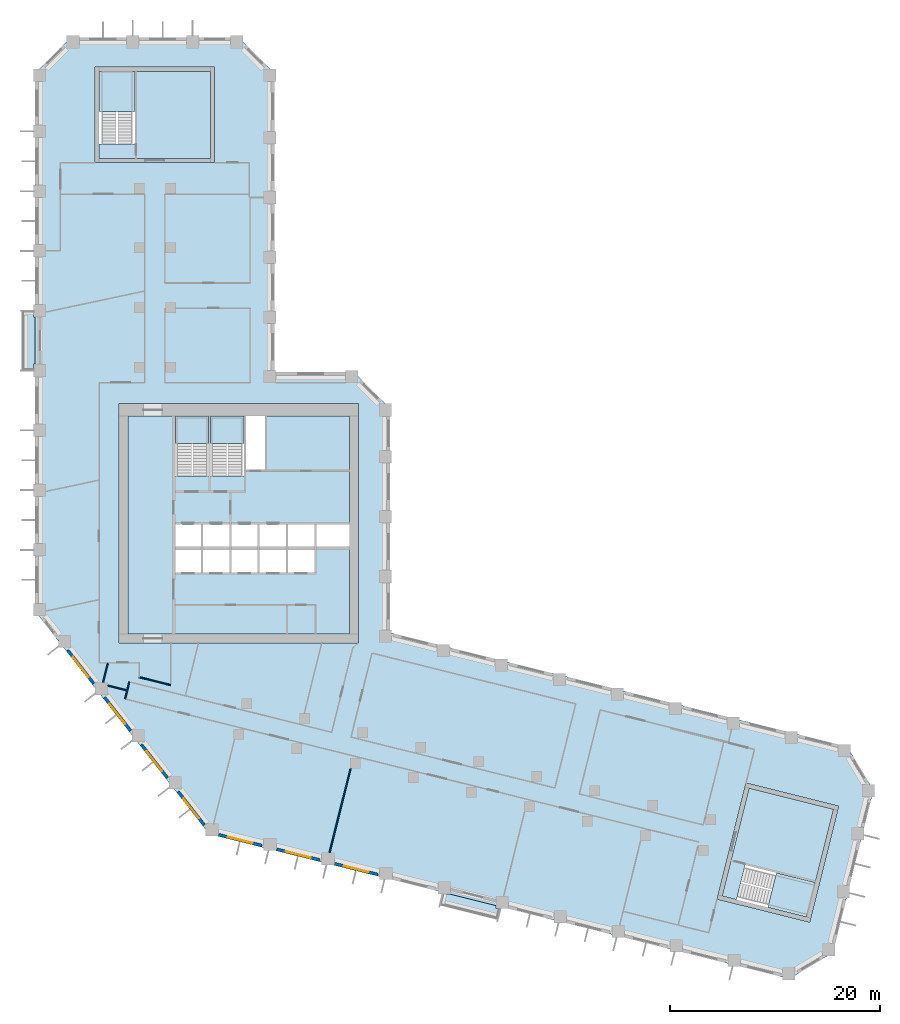
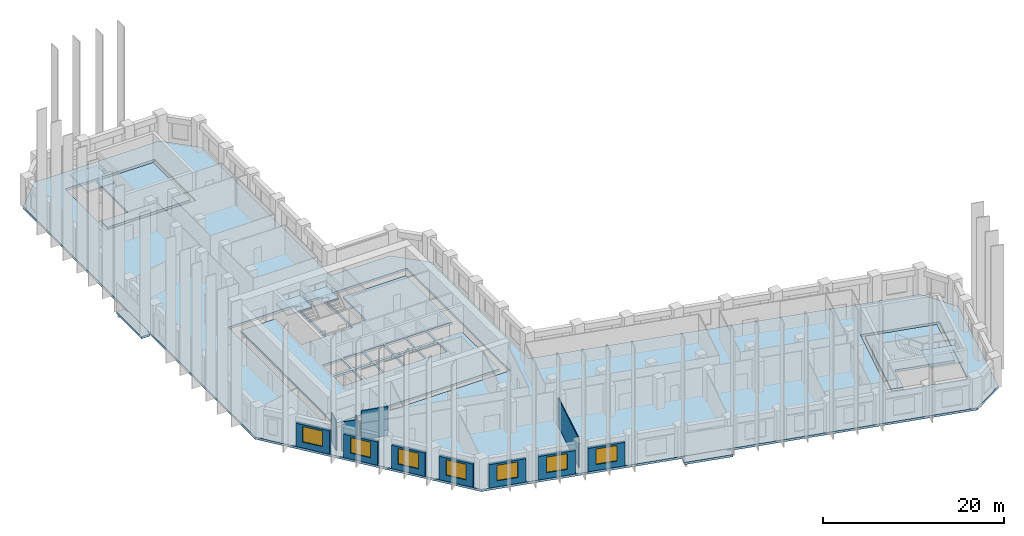
# One storey, part 2 of 10: 12 walls, 10 slabs, 7 windows, 7 openings, 4 elements without a shape of their own.
"""IFC4 building model written with IfcOpenShell, lengths in metres."""

from ifc_helpers import new_model, si_unit, direction, frame, frame_2d, origin, place, context, subcontext, project, spatial, polyline, rectangle, outline, extrude, material, layer, layer_set, type_object, element, fill, aggregate, save


model = new_model("IFC4")

# Units and contexts
model_context = context("Model", 3, precision=1e-05, world=origin(), true_north=direction((0.0, 1.0)))
body_context = subcontext(model_context, "Body", "Model", "MODEL_VIEW")
ifc_project = project(units=[si_unit("LENGTHUNIT", "METRE"), si_unit("AREAUNIT", "SQUARE_METRE"), si_unit("VOLUMEUNIT", "CUBIC_METRE"), si_unit("PLANEANGLEUNIT", "RADIAN"), si_unit("MASSUNIT", "GRAM", prefix="KILO")], contexts=[model_context])

# Site, building, storey
site_placement = place(None, origin())
site = spatial("IfcSite", under=ifc_project, at=site_placement, CompositionType="ELEMENT")
building_placement = place(site_placement, origin())
building = spatial("IfcBuilding", under=site, at=building_placement, Name="Meshkara Civic Tower", CompositionType="ELEMENT")
storey_placement = place(building_placement, frame((0.0, 0.0, 178.199951171875)))
storey = spatial("IfcBuildingStorey", under=building, at=storey_placement, Name="L40", CompositionType="ELEMENT", Elevation=178.199951171875)

# Slabs
ifc_material_1 = material(Name="Concrete C40", Category="concrete")
ifc_layer_1 = layer(ifc_material_1, 0.300048828125)
ifc_layer_set_1 = layer_set([ifc_layer_1], Name="BALCONY SLAB")
slab_type_1 = type_object("IfcSlabType", Name="BALCONY SLAB", PredefinedType="FLOOR", material=ifc_layer_set_1)
slab_1_placement = place(storey_placement, frame((0.0, 0.0, -0.300048828125)))
element("IfcSlab", 1, at=slab_1_placement, inside=storey, type_object=slab_type_1, Name="Balcony slab", PredefinedType="FLOOR", context=body_context, shape_type="SweptSolid", body=[
    extrude(outline(polyline([(-1.199951171875, 40.114990234375), (-1.199951171875, 45.695068359375), (-0.14990234375, 45.695068359375), (-0.14990234375, 45.155029296875), (0.0, 45.155029296875), (0.0, 40.655029296875), (-0.14990234375, 40.655029296875), (-0.14990234375, 40.114990234375), (-1.199951171875, 40.114990234375)])), origin(), (0.0, 0.0, 1.0), 0.300048828125),
])
slab_2_placement = place(storey_placement, frame((0.0, 0.0, -0.300048828125)))
element("IfcSlab", 2, at=slab_2_placement, inside=storey, type_object=slab_type_1, Name="Balcony slab", PredefinedType="FLOOR", context=body_context, shape_type="SweptSolid", body=[
    extrude(outline(polyline([(44.048095703125, -12.218994140625), (38.633056640625, -10.868896484375), (38.885986328125, -9.85302734375), (39.51904296875, -9.85302734375), (43.905029296875, -10.947021484375), (43.905029296875, -11.23193359375), (44.2939453125, -11.23193359375), (44.048095703125, -12.218994140625)])), origin(), (0.0, 0.0, 1.0), 0.300048828125),
])
ifc_material_2 = material(Name="Concrete C40/50", Category="concrete")
ifc_layer_2 = layer(ifc_material_2, 0.300048828125)
ifc_layer_set_2 = layer_set([ifc_layer_2], Name="Core floor slab 300 C40/50")
slab_type_2 = type_object("IfcSlabType", Name="Core floor slab 300 C40/50", PredefinedType="FLOOR", material=ifc_layer_set_2)
slab_3_placement = place(storey_placement, frame((0.0, 0.0, -0.300048828125)))
element("IfcSlab", 3, at=slab_3_placement, inside=storey, type_object=slab_type_2, Name="Core floor K", PredefinedType="FLOOR", context=body_context, shape_type="SweptSolid", body=[
    extrude(outline(polyline([(8.85009765625, 35.699951171875), (13.3701171875, 35.699951171875), (13.3701171875, 30.00146484375), (16.5, 30.00146484375), (16.5, 35.699951171875), (16.699951171875, 35.699951171875), (16.699951171875, 30.00146484375), (19.89990234375, 30.00146484375), (19.89990234375, 35.699951171875), (20.10009765625, 35.699951171875), (20.10009765625, 30.574951171875), (21.925048828125, 30.574951171875), (21.925048828125, 35.699951171875), (29.949951171875, 35.699951171875), (29.949951171875, 25.39990234375), (26.800048828125, 25.39990234375), (26.800048828125, 23.27001953125), (29.949951171875, 23.27001953125), (29.949951171875, 14.949951171875), (8.85009765625, 14.949951171875), (8.85009765625, 35.699951171875)]), holes=[polyline([(15.800048828125, 22.929931640625), (13.3701171875, 22.929931640625), (13.3701171875, 20.800048828125), (15.800048828125, 20.800048828125), (15.800048828125, 22.929931640625)]), polyline([(16.0, 22.929931640625), (16.0, 20.800048828125), (18.5, 20.800048828125), (18.5, 22.929931640625), (16.0, 22.929931640625)]), polyline([(18.699951171875, 22.929931640625), (18.699951171875, 20.800048828125), (21.199951171875, 20.800048828125), (21.199951171875, 22.929931640625), (18.699951171875, 22.929931640625)]), polyline([(15.800048828125, 23.27001953125), (15.800048828125, 25.39990234375), (13.3701171875, 25.39990234375), (13.3701171875, 23.27001953125), (15.800048828125, 23.27001953125)]), polyline([(16.0, 25.39990234375), (16.0, 23.27001953125), (18.5, 23.27001953125), (18.5, 25.39990234375), (16.0, 25.39990234375)]), polyline([(21.39990234375, 20.800048828125), (23.89990234375, 20.800048828125), (23.89990234375, 22.929931640625), (21.39990234375, 22.929931640625), (21.39990234375, 20.800048828125)]), polyline([(24.10009765625, 20.800048828125), (26.60009765625, 20.800048828125), (26.60009765625, 22.929931640625), (24.10009765625, 22.929931640625), (24.10009765625, 20.800048828125)]), polyline([(18.699951171875, 25.39990234375), (18.699951171875, 23.27001953125), (21.199951171875, 23.27001953125), (21.199951171875, 25.39990234375), (18.699951171875, 25.39990234375)]), polyline([(21.39990234375, 25.39990234375), (21.39990234375, 23.27001953125), (23.89990234375, 23.27001953125), (23.89990234375, 25.39990234375), (21.39990234375, 25.39990234375)]), polyline([(26.60009765625, 23.27001953125), (26.60009765625, 25.39990234375), (24.10009765625, 25.39990234375), (24.10009765625, 23.27001953125), (26.60009765625, 23.27001953125)])]), origin(), (0.0, 0.0, 1.0), 0.300048828125),
])
slab_4_placement = place(storey_placement, frame((0.0, 0.0, -0.300048828125)))
element("IfcSlab", 4, at=slab_4_placement, inside=storey, type_object=slab_type_2, Name="Core floor EA", PredefinedType="FLOOR", context=body_context, shape_type="SweptSolid", body=[
    extrude(outline(polyline([(16.699951171875, 60.27001953125), (16.699951171875, 68.570068359375), (9.5, 68.570068359375), (9.5, 61.67138671875), (6.10009765625, 61.67138671875), (6.10009765625, 60.27001953125), (16.699951171875, 60.27001953125)])), origin(), (0.0, 0.0, 1.0), 0.300048828125),
])
slab_5_placement = place(storey_placement, frame((0.0, 0.0, -0.300048828125)))
element("IfcSlab", 5, at=slab_5_placement, inside=storey, type_object=slab_type_2, Name="Core floor EB", PredefinedType="FLOOR", context=body_context, shape_type="SweptSolid", body=[
    extrude(outline(polyline([(68.050537109375, 0.244384765625), (76.10400390625, -1.763671875), (74.362060546875, -8.749755859375), (67.66845703125, -7.080810546875), (66.845947265625, -10.3798828125), (65.486083984375, -10.040771484375), (68.050537109375, 0.244384765625)])), origin(), (0.0, 0.0, 1.0), 0.300048828125),
])

# Stair, slab
ifc_material_3 = material(Name="Precast concrete C40/50", Category="concrete")
stair_type = type_object("IfcStairType", Name="Exit stair half-turn 24 risers precast", PredefinedType="HALF_TURN_STAIR", material=ifc_material_3)
stair_1_placement = place(storey_placement, origin())
stair_1 = element("IfcStair", 6, at=stair_1_placement, inside=storey, type_object=stair_type, Name="L40 exit stair 1", PredefinedType="HALF_TURN_STAIR")
ifc_material_4 = material(Name="Precast concrete C40/50", Category="concrete")
ifc_layer_3 = layer(ifc_material_4, 0.199951171875)
ifc_layer_set_3 = layer_set([ifc_layer_3], Name="Exit stair landing 200")
slab_type_3 = type_object("IfcSlabType", Name="Exit stair landing 200", PredefinedType="LANDING", material=ifc_layer_set_3)
slab_6_placement = place(storey_placement, frame((0.0, 0.0, 1.900146484375)))
slab_6 = element("IfcSlab", 7, at=slab_6_placement, type_object=slab_type_3, Name="ST1 landing 1", PredefinedType="LANDING", context=body_context, shape_type="SweptSolid", body=[
    extrude(outline(polyline([(16.5, 33.07861328125), (16.5, 35.699951171875), (13.3701171875, 35.699951171875), (13.3701171875, 33.07861328125), (16.5, 33.07861328125)])), origin(), (0.0, 0.0, 1.0), 0.199951171875),
])
aggregate(stair_1, [slab_6])

stair_2_placement = place(storey_placement, origin())
stair_2 = element("IfcStair", 8, at=stair_2_placement, inside=storey, type_object=stair_type, Name="L40 exit stair 2", PredefinedType="HALF_TURN_STAIR")
slab_7_placement = place(storey_placement, frame((0.0, 0.0, 1.900146484375)))
slab_7 = element("IfcSlab", 9, at=slab_7_placement, type_object=slab_type_3, Name="ST2 landing 1", PredefinedType="LANDING", context=body_context, shape_type="SweptSolid", body=[
    extrude(outline(polyline([(19.89990234375, 33.07861328125), (19.89990234375, 35.699951171875), (16.699951171875, 35.699951171875), (16.699951171875, 33.07861328125), (19.89990234375, 33.07861328125)])), origin(), (0.0, 0.0, 1.0), 0.199951171875),
])
aggregate(stair_2, [slab_7])

stair_3_placement = place(storey_placement, origin())
stair_3 = element("IfcStair", 10, at=stair_3_placement, inside=storey, type_object=stair_type, Name="L40 exit stair A from L35", PredefinedType="HALF_TURN_STAIR")
slab_8_placement = place(storey_placement, frame((0.0, 0.0, 1.900146484375)))
slab_8 = element("IfcSlab", 11, at=slab_8_placement, type_object=slab_type_3, Name="ESA3 landing 1", PredefinedType="LANDING", context=body_context, shape_type="SweptSolid", body=[
    extrude(outline(polyline([(9.5, 64.74853515625), (9.5, 68.570068359375), (6.10009765625, 68.570068359375), (6.10009765625, 64.74853515625), (9.5, 64.74853515625)])), origin(), (0.0, 0.0, 1.0), 0.199951171875),
])
aggregate(stair_3, [slab_8])

stair_4_placement = place(storey_placement, origin())
stair_4 = element("IfcStair", 12, at=stair_4_placement, inside=storey, type_object=stair_type, Name="L40 exit stair B from L35", PredefinedType="HALF_TURN_STAIR")
slab_9_placement = place(storey_placement, frame((0.0, 0.0, 1.900146484375)))
slab_9 = element("IfcSlab", 13, at=slab_9_placement, type_object=slab_type_3, Name="ESB3 landing 1", PredefinedType="LANDING", context=body_context, shape_type="SweptSolid", body=[
    extrude(outline(polyline([(69.831298828125, -11.124755859375), (73.5400390625, -12.049072265625), (74.3623046875, -8.7490234375), (70.653564453125, -7.82470703125), (69.831298828125, -11.124755859375)])), origin(), (0.0, 0.0, 1.0), 0.199951171875),
])
aggregate(stair_4, [slab_9])

# Slab
ifc_material_5 = material(Name="Concrete C50", Category="concrete")
ifc_layer_4 = layer(ifc_material_5, 0.300048828125)
ifc_layer_set_4 = layer_set([ifc_layer_4], Name="Post-tensioned flat slab 300 C50")
slab_type_4 = type_object("IfcSlabType", Name="Post-tensioned flat slab 300 C50", PredefinedType="FLOOR", material=ifc_layer_set_4)
slab_10_placement = place(storey_placement, frame((0.0, 0.0, -0.300048828125)))
element("IfcSlab", 14, at=slab_10_placement, inside=storey, type_object=slab_type_4, Name="Post-tensioned flat slab L40", PredefinedType="FLOOR", context=body_context, shape_type="SweptSolid", body=[
    extrude(outline(polyline([(76.044921875, -15.43505859375), (71.89892578125, -17.926025390625), (16.592041015625, -4.136962890625), (0.0, 17.10009765625), (0.0, 68.39990234375), (3.419921875, 71.820068359375), (19.3798828125, 71.820068359375), (22.800048828125, 68.39990234375), (22.800048828125, 39.89990234375), (30.3798828125, 39.89990234375), (33.800048828125, 36.47998046875), (33.800048828125, 15.071044921875), (77.4150390625, 4.196044921875), (79.906005859375, 0.051025390625), (76.044921875, -15.43505859375)]), holes=[polyline([(73.8310546875, -12.533935546875), (76.589111328125, -1.471923828125), (67.759033203125, 0.72900390625), (65.0009765625, -10.33203125), (73.8310546875, -12.533935546875)]), polyline([(8.0, 14.10009765625), (30.800048828125, 14.10009765625), (30.800048828125, 36.89990234375), (8.0, 36.89990234375), (8.0, 14.10009765625)]), polyline([(5.699951171875, 68.969970703125), (5.699951171875, 59.8701171875), (17.10009765625, 59.8701171875), (17.10009765625, 68.969970703125), (5.699951171875, 68.969970703125)])]), origin(), (0.0, 0.0, 1.0), 0.300048828125),
])

# Walls
ifc_material_6 = material(Name="Corridor wall 100")
ifc_layer_5 = layer(ifc_material_6, 0.10009765625)
ifc_layer_set_5 = layer_set([ifc_layer_5], Name="Corridor wall 100")
wall_type_1 = type_object("IfcWallType", Name="Corridor wall 100", PredefinedType="PARTITIONING", material=ifc_layer_set_5)
wall_1_placement = place(storey_placement, frame((8.972900390625, 10.382080078125, 0.0), z_axis=(0.0, 0.0, 1.0), x_axis=(-0.241650823739, -0.970363271866, 0.0)))
element("IfcWall", 15, at=wall_1_placement, inside=storey, type_object=wall_type_1, Name="L40-W008", PredefinedType="PARTITIONING", context=body_context, shape_type="SweptSolid", body=[
    extrude(rectangle(XDim=1.688232421875, YDim=0.10009765625, at=frame_2d((0.84423828125, 0.0))), origin(), (0.0, 0.0, 1.0), 3.900146484375),
])
wall_2_placement = place(storey_placement, frame((9.89990234375, 10.825927734375, 0.0), z_axis=(0.0, 0.0, 1.0), x_axis=(0.970290953223, -0.241941038466, 0.0)))
element("IfcWall", 16, at=wall_2_placement, inside=storey, type_object=wall_type_1, Name="L40-W009", PredefinedType="PARTITIONING", context=body_context, shape_type="SweptSolid", body=[
    extrude(rectangle(XDim=3.091796875, YDim=0.10009765625, at=frame_2d((1.5458984375, 0.0))), origin(), (0.0, 0.0, 1.0), 3.900146484375),
])

# Wall, opening, window
ifc_material_7 = material(Name="Insulated infill panel with bronze anodised aluminium cladding", Category="aluminium")
ifc_layer_6 = layer(ifc_material_7, 0.300048828125)
ifc_layer_set_6 = layer_set([ifc_layer_6], Name="EXTERNAL INFILL WALL 300")
wall_type_2 = type_object("IfcWallType", Name="EXTERNAL INFILL WALL 300", PredefinedType="SOLIDWALL", material=ifc_layer_set_6)
wall_3_placement = place(storey_placement, frame((3.095947265625, 13.381103515625, 0.0), z_axis=(0.0, 0.0, 1.0), x_axis=(0.615563820493, -0.78808704018, 0.0)))
wall_3 = element("IfcWall", 17, at=wall_3_placement, inside=storey, type_object=wall_type_2, Name="External wall", PredefinedType="SOLIDWALL", context=body_context, shape_type="SweptSolid", body=[
    extrude(rectangle(XDim=4.01611328125, YDim=0.300048828125, at=frame_2d((2.008056640625, 0.0))), origin(), (0.0, 0.0, 1.0), 3.150146484375),
])
opening_1_placement = place(wall_3_placement, frame((0.80810546875, 0.0, 0.800048828125)))
opening_1 = element("IfcOpeningElement", 18, at=opening_1_placement, cuts=wall_3, Name="Opening W7", PredefinedType="OPENING", context=body_context, shape_type="SweptSolid", body=[
    extrude(rectangle(XDim=2.39990234375, YDim=2.10009765625, at=frame_2d((1.199951171875, 1.050048828125))), frame((0.0, 0.159912109375, 0.0), z_axis=(0.0, -1.0, 0.0), x_axis=(1.0, 0.0, 0.0)), (0.0, 0.0, 1.0), 0.320068359375),
])
ifc_material_8 = material(Name="Tinted double glazing", Category="glass")
window_type = type_object("IfcWindowType", Name="WINDOW 2400x2100", PartitioningType="DOUBLE_PANEL_VERTICAL", PredefinedType="WINDOW", material=ifc_material_8)
window_1_placement = place(opening_1_placement, origin())
window_1 = element("IfcWindow", 19, at=window_1_placement, inside=storey, type_object=window_type, Name="Window", OverallHeight=2.10009765625, OverallWidth=2.39990234375, PartitioningType="DOUBLE_PANEL_VERTICAL", PredefinedType="WINDOW", context=body_context, shape_type="SweptSolid", body=[
    extrude(rectangle(XDim=2.39990234375, YDim=2.10009765625, at=frame_2d((1.199951171875, 1.050048828125))), frame((0.0, 0.030029296875, 0.0), z_axis=(0.0, -1.0, 0.0), x_axis=(1.0, 0.0, 0.0)), (0.0, 0.0, 1.0), 0.06005859375),
])
fill(opening_1, window_1)

wall_4_placement = place(storey_placement, frame((6.60498046875, 8.888916015625, 0.0), z_axis=(0.0, 0.0, 1.0), x_axis=(0.615706559089, -0.787975528233, 0.0)))
wall_4 = element("IfcWall", 20, at=wall_4_placement, inside=storey, type_object=wall_type_2, Name="External wall", PredefinedType="SOLIDWALL", context=body_context, shape_type="SweptSolid", body=[
    extrude(rectangle(XDim=4.016357421875, YDim=0.300048828125, at=frame_2d((2.00830078125, 0.0))), origin(), (0.0, 0.0, 1.0), 3.150146484375),
])
opening_2_placement = place(wall_4_placement, frame((0.80810546875, 0.0, 0.800048828125)))
opening_2 = element("IfcOpeningElement", 21, at=opening_2_placement, cuts=wall_4, Name="Opening W7", PredefinedType="OPENING", context=body_context, shape_type="SweptSolid", body=[
    extrude(rectangle(XDim=2.39990234375, YDim=2.10009765625, at=frame_2d((1.199951171875, 1.050048828125))), frame((0.0, 0.159912109375, 0.0), z_axis=(0.0, -1.0, 0.0), x_axis=(1.0, 0.0, 0.0)), (0.0, 0.0, 1.0), 0.320068359375),
])
window_2_placement = place(opening_2_placement, origin())
window_2 = element("IfcWindow", 22, at=window_2_placement, inside=storey, type_object=window_type, Name="Window", OverallHeight=2.10009765625, OverallWidth=2.39990234375, PartitioningType="DOUBLE_PANEL_VERTICAL", PredefinedType="WINDOW", context=body_context, shape_type="SweptSolid", body=[
    extrude(rectangle(XDim=2.39990234375, YDim=2.10009765625, at=frame_2d((1.199951171875, 1.050048828125))), frame((0.0, 0.030029296875, 0.0), z_axis=(0.0, -1.0, 0.0), x_axis=(1.0, 0.0, 0.0)), (0.0, 0.0, 1.0), 0.06005859375),
])
fill(opening_2, window_2)

wall_5_placement = place(storey_placement, frame((10.114990234375, 4.39697265625, 0.0), z_axis=(0.0, 0.0, 1.0), x_axis=(0.615644041972, -0.788024373725, 0.0)))
wall_5 = element("IfcWall", 23, at=wall_5_placement, inside=storey, type_object=wall_type_2, Name="External wall", PredefinedType="SOLIDWALL", context=body_context, shape_type="SweptSolid", body=[
    extrude(rectangle(XDim=4.01513671875, YDim=0.300048828125, at=frame_2d((2.007568359375, 0.0))), origin(), (0.0, 0.0, 1.0), 3.150146484375),
])
opening_3_placement = place(wall_5_placement, frame((0.806884765625, 0.0, 0.800048828125)))
opening_3 = element("IfcOpeningElement", 24, at=opening_3_placement, cuts=wall_5, Name="Opening W7", PredefinedType="OPENING", context=body_context, shape_type="SweptSolid", body=[
    extrude(rectangle(XDim=2.39990234375, YDim=2.10009765625, at=frame_2d((1.199951171875, 1.050048828125))), frame((0.0, 0.159912109375, 0.0), z_axis=(0.0, -1.0, 0.0), x_axis=(1.0, 0.0, 0.0)), (0.0, 0.0, 1.0), 0.320068359375),
])
window_3_placement = place(opening_3_placement, origin())
window_3 = element("IfcWindow", 25, at=window_3_placement, inside=storey, type_object=window_type, Name="Window", OverallHeight=2.10009765625, OverallWidth=2.39990234375, PartitioningType="DOUBLE_PANEL_VERTICAL", PredefinedType="WINDOW", context=body_context, shape_type="SweptSolid", body=[
    extrude(rectangle(XDim=2.39990234375, YDim=2.10009765625, at=frame_2d((1.199951171875, 1.050048828125))), frame((0.0, 0.030029296875, 0.0), z_axis=(0.0, -1.0, 0.0), x_axis=(1.0, 0.0, 0.0)), (0.0, 0.0, 1.0), 0.06005859375),
])
fill(opening_3, window_3)

wall_6_placement = place(storey_placement, frame((13.6240234375, -0.093994140625, 0.0), z_axis=(0.0, 0.0, 1.0), x_axis=(0.615526062586, -0.7881165309, 0.0)))
wall_6 = element("IfcWall", 26, at=wall_6_placement, inside=storey, type_object=wall_type_2, Name="External wall", PredefinedType="SOLIDWALL", context=body_context, shape_type="SweptSolid", body=[
    extrude(rectangle(XDim=4.015869140625, YDim=0.300048828125, at=frame_2d((2.0078125, 0.0))), origin(), (0.0, 0.0, 1.0), 3.150146484375),
])
opening_4_placement = place(wall_6_placement, frame((0.80810546875, 0.0, 0.800048828125)))
opening_4 = element("IfcOpeningElement", 27, at=opening_4_placement, cuts=wall_6, Name="Opening W7", PredefinedType="OPENING", context=body_context, shape_type="SweptSolid", body=[
    extrude(rectangle(XDim=2.39990234375, YDim=2.10009765625, at=frame_2d((1.199951171875, 1.050048828125))), frame((0.0, 0.159912109375, 0.0), z_axis=(0.0, -1.0, 0.0), x_axis=(1.0, 0.0, 0.0)), (0.0, 0.0, 1.0), 0.320068359375),
])
window_4_placement = place(opening_4_placement, origin())
window_4 = element("IfcWindow", 28, at=window_4_placement, inside=storey, type_object=window_type, Name="Window", OverallHeight=2.10009765625, OverallWidth=2.39990234375, PartitioningType="DOUBLE_PANEL_VERTICAL", PredefinedType="WINDOW", context=body_context, shape_type="SweptSolid", body=[
    extrude(rectangle(XDim=2.39990234375, YDim=2.10009765625, at=frame_2d((1.199951171875, 1.050048828125))), frame((0.0, 0.030029296875, 0.0), z_axis=(0.0, -1.0, 0.0), x_axis=(1.0, 0.0, 0.0)), (0.0, 0.0, 1.0), 0.06005859375),
])
fill(opening_4, window_4)

wall_7_placement = place(storey_placement, frame((17.48388671875, -4.205078125, 0.0), z_axis=(0.0, 0.0, 1.0), x_axis=(0.970318118028, -0.241832069473, 0.0)))
wall_7 = element("IfcWall", 29, at=wall_7_placement, inside=storey, type_object=wall_type_2, Name="External wall", PredefinedType="SOLIDWALL", context=body_context, shape_type="SweptSolid", body=[
    extrude(rectangle(XDim=4.24609375, YDim=0.300048828125, at=frame_2d((2.123046875, 0.0))), origin(), (0.0, 0.0, 1.0), 3.150146484375),
])
opening_5_placement = place(wall_7_placement, frame((0.923095703125, 0.0, 0.800048828125)))
opening_5 = element("IfcOpeningElement", 30, at=opening_5_placement, cuts=wall_7, Name="Opening W7", PredefinedType="OPENING", context=body_context, shape_type="SweptSolid", body=[
    extrude(rectangle(XDim=2.39990234375, YDim=2.10009765625, at=frame_2d((1.199951171875, 1.050048828125))), frame((0.0, 0.159912109375, 0.0), z_axis=(0.0, -1.0, 0.0), x_axis=(1.0, 0.0, 0.0)), (0.0, 0.0, 1.0), 0.320068359375),
])
window_5_placement = place(opening_5_placement, origin())
window_5 = element("IfcWindow", 31, at=window_5_placement, inside=storey, type_object=window_type, Name="Window", OverallHeight=2.10009765625, OverallWidth=2.39990234375, PartitioningType="DOUBLE_PANEL_VERTICAL", PredefinedType="WINDOW", context=body_context, shape_type="SweptSolid", body=[
    extrude(rectangle(XDim=2.39990234375, YDim=2.10009765625, at=frame_2d((1.199951171875, 1.050048828125))), frame((0.0, 0.030029296875, 0.0), z_axis=(0.0, -1.0, 0.0), x_axis=(1.0, 0.0, 0.0)), (0.0, 0.0, 1.0), 0.06005859375),
])
fill(opening_5, window_5)

wall_8_placement = place(storey_placement, frame((23.014892578125, -5.583984375, 0.0), z_axis=(0.0, 0.0, 1.0), x_axis=(0.970291164166, -0.241940192487, 0.0)))
wall_8 = element("IfcWall", 32, at=wall_8_placement, inside=storey, type_object=wall_type_2, Name="External wall", PredefinedType="SOLIDWALL", context=body_context, shape_type="SweptSolid", body=[
    extrude(rectangle(XDim=4.245361328125, YDim=0.300048828125, at=frame_2d((2.12255859375, 0.0))), origin(), (0.0, 0.0, 1.0), 3.150146484375),
])
opening_6_placement = place(wall_8_placement, frame((0.922119140625, 0.0, 0.800048828125)))
opening_6 = element("IfcOpeningElement", 33, at=opening_6_placement, cuts=wall_8, Name="Opening W7", PredefinedType="OPENING", context=body_context, shape_type="SweptSolid", body=[
    extrude(rectangle(XDim=2.39990234375, YDim=2.10009765625, at=frame_2d((1.199951171875, 1.050048828125))), frame((0.0, 0.159912109375, 0.0), z_axis=(0.0, -1.0, 0.0), x_axis=(1.0, 0.0, 0.0)), (0.0, 0.0, 1.0), 0.320068359375),
])
window_6_placement = place(opening_6_placement, origin())
window_6 = element("IfcWindow", 34, at=window_6_placement, inside=storey, type_object=window_type, Name="Window", OverallHeight=2.10009765625, OverallWidth=2.39990234375, PartitioningType="DOUBLE_PANEL_VERTICAL", PredefinedType="WINDOW", context=body_context, shape_type="SweptSolid", body=[
    extrude(rectangle(XDim=2.39990234375, YDim=2.10009765625, at=frame_2d((1.199951171875, 1.050048828125))), frame((0.0, 0.030029296875, 0.0), z_axis=(0.0, -1.0, 0.0), x_axis=(1.0, 0.0, 0.0)), (0.0, 0.0, 1.0), 0.06005859375),
])
fill(opening_6, window_6)

wall_9_placement = place(storey_placement, frame((28.544921875, -6.962890625, 0.0), z_axis=(0.0, 0.0, 1.0), x_axis=(0.97030462482, -0.241886202691, 0.0)))
wall_9 = element("IfcWall", 35, at=wall_9_placement, inside=storey, type_object=wall_type_2, Name="External wall", PredefinedType="SOLIDWALL", context=body_context, shape_type="SweptSolid", body=[
    extrude(rectangle(XDim=4.24609375, YDim=0.300048828125, at=frame_2d((2.123046875, 0.0))), origin(), (0.0, 0.0, 1.0), 3.150146484375),
])
opening_7_placement = place(wall_9_placement, frame((0.923095703125, 0.0, 0.800048828125)))
opening_7 = element("IfcOpeningElement", 36, at=opening_7_placement, cuts=wall_9, Name="Opening W7", PredefinedType="OPENING", context=body_context, shape_type="SweptSolid", body=[
    extrude(rectangle(XDim=2.39990234375, YDim=2.10009765625, at=frame_2d((1.199951171875, 1.050048828125))), frame((0.0, 0.159912109375, 0.0), z_axis=(0.0, -1.0, 0.0), x_axis=(1.0, 0.0, 0.0)), (0.0, 0.0, 1.0), 0.320068359375),
])
window_7_placement = place(opening_7_placement, origin())
window_7 = element("IfcWindow", 37, at=window_7_placement, inside=storey, type_object=window_type, Name="Window", OverallHeight=2.10009765625, OverallWidth=2.39990234375, PartitioningType="DOUBLE_PANEL_VERTICAL", PredefinedType="WINDOW", context=body_context, shape_type="SweptSolid", body=[
    extrude(rectangle(XDim=2.39990234375, YDim=2.10009765625, at=frame_2d((1.199951171875, 1.050048828125))), frame((0.0, 0.030029296875, 0.0), z_axis=(0.0, -1.0, 0.0), x_axis=(1.0, 0.0, 0.0)), (0.0, 0.0, 1.0), 0.06005859375),
])
fill(opening_7, window_7)

# Walls
ifc_material_9 = material(Name="Partition 100")
ifc_layer_7 = layer(ifc_material_9, 0.10009765625)
ifc_layer_set_7 = layer_set([ifc_layer_7], Name="Partition 100")
wall_type_3 = type_object("IfcWallType", Name="Partition 100", PredefinedType="PARTITIONING", material=ifc_layer_set_7)
wall_10_placement = place(storey_placement, frame((6.922119140625, 12.137939453125, 0.0), z_axis=(0.0, 0.0, 1.0), x_axis=(-0.242504681353, -0.970150235542, 0.0)))
element("IfcWall", 38, at=wall_10_placement, inside=storey, type_object=wall_type_3, Name="L40-W047", PredefinedType="PARTITIONING", context=body_context, shape_type="SweptSolid", body=[
    extrude(rectangle(XDim=1.8564453125, YDim=0.10009765625, at=frame_2d((0.92822265625, 0.0))), origin(), (0.0, 0.0, 1.0), 3.900146484375),
])
wall_11_placement = place(storey_placement, frame((8.719970703125, 9.573974609375, 0.0), z_axis=(0.0, 0.0, 1.0), x_axis=(-0.97017350799, 0.242411559945, 0.0)))
element("IfcWall", 39, at=wall_11_placement, inside=storey, type_object=wall_type_3, Name="L40-W048", PredefinedType="PARTITIONING", context=body_context, shape_type="SweptSolid", body=[
    extrude(rectangle(XDim=1.85205078125, YDim=0.10009765625, at=frame_2d((0.926025390625, 0.0))), origin(), (0.0, 0.0, 1.0), 3.900146484375),
])
wall_12_placement = place(storey_placement, frame((28.06298828125, -5.89599609375, 0.0), z_axis=(0.0, 0.0, 1.0), x_axis=(0.241894418317, 0.970302576719, 0.0)))
element("IfcWall", 40, at=wall_12_placement, inside=storey, type_object=wall_type_3, Name="L40-W054", PredefinedType="PARTITIONING", context=body_context, shape_type="SweptSolid", body=[
    extrude(rectangle(XDim=8.242919921875, YDim=0.10009765625, at=frame_2d((4.12158203125, 0.0))), origin(), (0.0, 0.0, 1.0), 3.900146484375),
])

save(model, "model.ifc")
